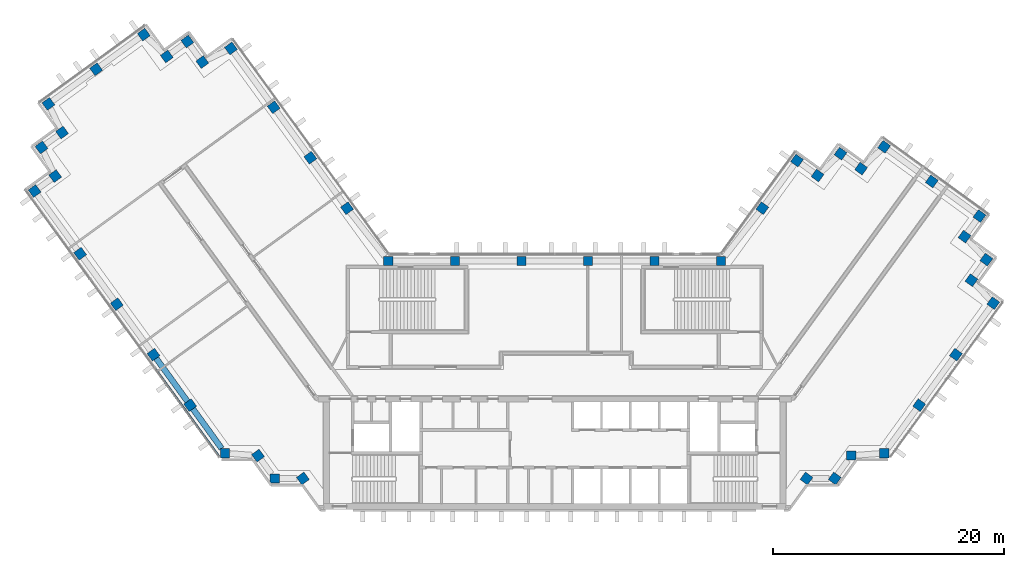
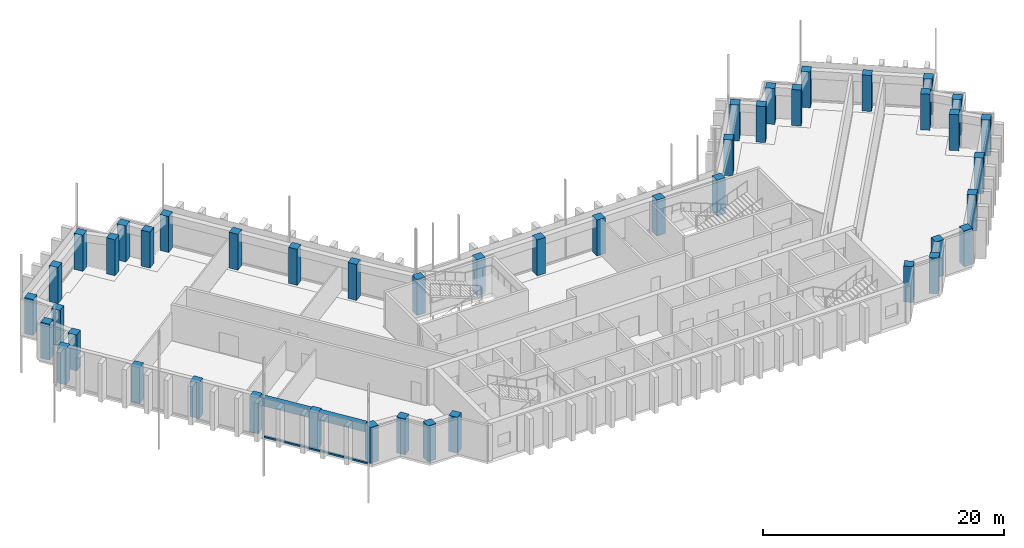
# One storey, part 1 of 12: 46 columns, 2 beams, 1 member, 1 element without a shape of its own.
"""IFC4 building model written with IfcOpenShell, lengths in metres."""

from ifc_helpers import new_model, si_unit, direction, frame, origin, origin_2d, place, context, subcontext, project, spatial, rectangle, extrude, material, material_profile, profile_set, type_object, element, aggregate, save


model = new_model("IFC4")

# Units and contexts
model_context = context("Model", 3, precision=1e-05, world=origin(), true_north=direction((0.0, 1.0)))
body_context = subcontext(model_context, "Body", "Model", "MODEL_VIEW")
ifc_project = project(units=[si_unit("LENGTHUNIT", "METRE"), si_unit("AREAUNIT", "SQUARE_METRE"), si_unit("VOLUMEUNIT", "CUBIC_METRE"), si_unit("PLANEANGLEUNIT", "RADIAN"), si_unit("MASSUNIT", "GRAM", prefix="KILO")], contexts=[model_context])

# Site, building, storey
site_placement = place(None, origin())
site = spatial("IfcSite", under=ifc_project, at=site_placement, CompositionType="ELEMENT")
building_placement = place(site_placement, origin())
building = spatial("IfcBuilding", under=site, at=building_placement, Name="Quipu Civic Tower", CompositionType="ELEMENT")
storey_placement = place(building_placement, frame((0.0, 0.0, 222.0)))
storey = spatial("IfcBuildingStorey", under=building, at=storey_placement, Name="L52", CompositionType="ELEMENT", Elevation=222.0)

# Columns
ifc_material_1 = material(Name="Concrete C50/60", Category="concrete")
ifc_material_profile_1 = material_profile(ifc_material_1, rectangle(XDim=0.800048828125, YDim=0.800048828125, at=origin_2d()), Name="RC800x800")
ifc_profile_set_1 = profile_set([ifc_material_profile_1], Name="Concrete C50/60")
column_type = type_object("IfcColumnType", Name="Perimeter column RC 800x800 C50/60", PredefinedType="COLUMN", material=ifc_profile_set_1)
for number, where, z_axis, x_axis, name in (
    (1, (-17.9736328125, 15.074951171875, 0.0), (0.0, 0.0, 1.0), (-0.587785252292, 0.809016994375, 0.0), "Column L52 W-IN-01"),
    (2, (-21.1474609375, 19.44384765625, 0.0), (0.0, 0.0, 1.0), (-0.587785252292, 0.809016994375, 0.0), "Column L52 W-IN-02"),
    (3, (-24.3212890625, 23.8125, 0.0), (0.0, 0.0, 1.0), (-0.587785252292, 0.809016994375, 0.0), "Column L52 W-IN-03"),
    (4, (-28.02001953125, 28.905029296875, 0.0), (0.0, 0.0, 1.0), (-0.809016994375, -0.587785252292, 0.0), "Column L52 T-Wi.0-W34"),
    (5, (-30.498779296875, 27.72265625, 0.0), (0.0, 0.0, 1.0), (-0.809016994375, -0.587785252292, 0.0), "Column L52 T-Wi.1-W34"),
    (6, (-31.794921875, 29.5, 0.0), (0.0, 0.0, 1.0), (-0.587785252292, 0.809016994375, 0.0), "Column L52 T-Wi.2-W34"),
    (7, (-33.573974609375, 28.20947265625, 0.0), (0.0, 0.0, 1.0), (-0.587785252292, 0.809016994375, 0.0), "Column L52 T-Wi.3-W34"),
    (8, (-35.56494140625, 30.10009765625, 0.0), (0.0, 0.0, 1.0), (-0.809016994375, -0.587785252292, 0.0), "Column L52 T-Wi.4-W34"),
    (9, (-39.690673828125, 27.10205078125, 0.0), (0.0, 0.0, 1.0), (-0.809016994375, -0.587785252292, 0.0), "Column L52 TIP-W-01-W34"),
    (10, (-43.81494140625, 24.10498046875, 0.0), (0.0, 0.0, 1.0), (-0.809016994375, -0.587785252292, 0.0), "Column L52 T-Wo.0-W34"),
    (11, (-42.635009765625, 21.626220703125, 0.0), (0.0, 0.0, 1.0), (-0.809016994375, -0.587785252292, 0.0), "Column L52 T-Wo.1-W34"),
    (12, (-44.4150390625, 20.3349609375, 0.0), (0.0, 0.0, 1.0), (0.587785252292, -0.809016994375, 0.0), "Column L52 T-Wo.2-W34"),
    (13, (-43.23095703125, 17.8544921875, 0.0), (0.0, 0.0, 1.0), (0.587785252292, -0.809016994375, 0.0), "Column L52 T-Wo.3-W34"),
    (14, (-45.010009765625, 16.56005859375, 0.0), (0.0, 0.0, 1.0), (0.587785252292, -0.809016994375, 0.0), "Column L52 T-Wo.4-W34"),
    (15, (-41.0703125, 11.137451171875, 0.0), (0.0, 0.0, 1.0), (0.587785252292, -0.809016994375, 0.0), "Column L52 W-OUT-04"),
    (16, (-37.896240234375, 6.768798828125, 0.0), (0.0, 0.0, 1.0), (0.587785252292, -0.809016994375, 0.0), "Column L52 W-OUT-03"),
    (17, (-34.722412109375, 2.39990234375, 0.0), (0.0, 0.0, 1.0), (0.587785252292, -0.809016994375, 0.0), "Column L52 W-OUT-02"),
    (18, (-31.54833984375, -1.96875, 0.0), (0.0, 0.0, 1.0), (0.587785252292, -0.809016994375, 0.0), "Column L52 W-OUT-01"),
    (19, (-28.52490234375, -6.1298828125, 0.0), (0.0, 0.0, 1.0), (1.0, 0.0, 0.0), "Column L52 J-Wo.0"),
    (20, (-25.67431640625, -6.3369140625, 0.0), (0.0, 0.0, 1.0), (0.587785252292, -0.809016994375, 0.0), "Column L52 J-Wo.1"),
    (21, (-24.235107421875, -8.31494140625, 0.0), (0.0, 0.0, 1.0), (1.0, 0.0, 0.0), "Column L52 J-Wo.2"),
    (22, (-21.791748046875, -8.31494140625, 0.0), (0.0, 0.0, 1.0), (0.587785252292, -0.809016994375, 0.0), "Column L52 J-Wo.3"),
    (23, (21.791748046875, -8.31494140625, 0.0), (0.0, 0.0, 1.0), (0.587785252292, 0.809016994375, 0.0), "Column L52 J-Eo.1"),
    (24, (24.235107421875, -8.31494140625, 0.0), (0.0, 0.0, 1.0), (0.587785252292, 0.809016994375, 0.0), "Column L52 J-Eo.2"),
    (25, (25.67431640625, -6.3369140625, 0.0), (0.0, 0.0, 1.0), (1.0, 0.0, 0.0), "Column L52 J-Eo.3"),
    (26, (28.52490234375, -6.1298828125, 0.0), (0.0, 0.0, 1.0), (1.0, 0.0, 0.0), "Column L52 J-Eo.4"),
    (27, (31.54833984375, -1.96875, 0.0), (0.0, 0.0, 1.0), (0.587785252292, 0.809016994375, 0.0), "Column L52 E-OUT-01"),
    (28, (34.722412109375, 2.39990234375, 0.0), (0.0, 0.0, 1.0), (0.587785252292, 0.809016994375, 0.0), "Column L52 E-OUT-02"),
    (29, (37.9599609375, 6.85498046875, 0.0), (0.0, 0.0, 1.0), (0.587785252292, 0.809016994375, 0.0), "Column L52 T-Eo.0-E22"),
    (30, (36.068115234375, 8.843994140625, 0.0), (0.0, 0.0, 1.0), (0.587785252292, 0.809016994375, 0.0), "Column L52 T-Eo.1-E22"),
    (31, (37.360107421875, 10.625, 0.0), (0.0, 0.0, 1.0), (0.587785252292, 0.809016994375, 0.0), "Column L52 T-Eo.2-E22"),
    (32, (35.470703125, 12.616455078125, 0.0), (0.0, 0.0, 1.0), (-0.809016994375, 0.587785252292, 0.0), "Column L52 T-Eo.3-E22"),
    (33, (36.764892578125, 14.39501953125, 0.0), (0.0, 0.0, 1.0), (-0.809016994375, 0.587785252292, 0.0), "Column L52 T-Eo.4-E22"),
    (34, (32.636962890625, 17.39306640625, 0.0), (0.0, 0.0, 1.0), (-0.809016994375, 0.587785252292, 0.0), "Column L52 TIP-E-01-E22"),
    (35, (28.510009765625, 20.389892578125, 0.0), (0.0, 0.0, 1.0), (-0.587785252292, -0.809016994375, 0.0), "Column L52 T-Ei.0-E22"),
    (36, (26.51904296875, 18.50048828125, 0.0), (0.0, 0.0, 1.0), (-0.809016994375, 0.587785252292, 0.0), "Column L52 T-Ei.1-E22"),
    (37, (24.739990234375, 19.794921875, 0.0), (0.0, 0.0, 1.0), (-0.587785252292, -0.809016994375, 0.0), "Column L52 T-Ei.2-E22"),
    (38, (22.749267578125, 17.904296875, 0.0), (0.0, 0.0, 1.0), (-0.587785252292, -0.809016994375, 0.0), "Column L52 T-Ei.3-E22"),
    (39, (20.969970703125, 19.195068359375, 0.0), (0.0, 0.0, 1.0), (-0.587785252292, -0.809016994375, 0.0), "Column L52 T-Ei.4-E22"),
    (40, (17.9736328125, 15.074951171875, 0.0), (0.0, 0.0, 1.0), (-0.587785252292, -0.809016994375, 0.0), "Column L52 E-IN-01"),
    (41, (14.395263671875, 10.5, 0.0), (0.0, 0.0, 1.0), (-1.0, 0.0, 0.0), "Column L52 J-Ei.0"),
    (42, (8.63720703125, 10.5, 0.0), (0.0, 0.0, 1.0), (-1.0, 0.0, 0.0), "Column L52 FRONT-01"),
    (43, (2.87890625, 10.5, 0.0), (0.0, 0.0, 1.0), (-1.0, 0.0, 0.0), "Column L52 FRONT-02"),
    (44, (-2.87890625, 10.5, 0.0), (0.0, 0.0, 1.0), (-1.0, 0.0, 0.0), "Column L52 FRONT-03"),
    (45, (-8.63720703125, 10.5, 0.0), (0.0, 0.0, 1.0), (-1.0, 0.0, 0.0), "Column L52 FRONT-04"),
    (46, (-14.395263671875, 10.5, 0.0), (0.0, 0.0, 1.0), (-1.0, 0.0, 0.0), "Column L52 J-Wi.0"),
):
    element("IfcColumn", number, at=place(storey_placement, frame(where, z_axis=z_axis, x_axis=x_axis)), inside=storey, type_object=column_type, Name=name, PredefinedType="COLUMN", context=body_context, shape_type="SweptSolid", body=[
        extrude(rectangle(XDim=0.800048828125, YDim=0.800048828125, at=origin_2d()), origin(), (0.0, 0.0, 1.0), 3.64990234375),
    ])

# Beams
ifc_material_2 = material(Name="Concrete C50/60", Category="concrete")
ifc_material_profile_2 = material_profile(ifc_material_2, rectangle(XDim=0.5, YDim=0.800048828125, at=origin_2d()), Name="RC500x800")
ifc_profile_set_2 = profile_set([ifc_material_profile_2], Name="Concrete C50/60")
beam_type = type_object("IfcBeamType", Name="Spandrel beam RC 500x800 C50/60", PredefinedType="SPANDREL", material=ifc_profile_set_2)
beam_1_placement = place(storey_placement, frame((-34.4873046875, 2.076416015625, 3.25), z_axis=(0.587796098864, -0.809009113768, 0.0), x_axis=(0.809009113768, 0.587796098864, 0.0)))
element("IfcBeam", 47, at=beam_1_placement, inside=storey, type_object=beam_type, Name="Spandrel beam L52 W-OUT-02 to W-OUT-01", PredefinedType="SPANDREL", context=body_context, shape_type="SweptSolid", body=[
    extrude(rectangle(XDim=0.5, YDim=0.800048828125, at=origin_2d()), origin(), (0.0, 0.0, 1.0), 4.60009765625),
])
beam_2_placement = place(storey_placement, frame((-31.313232421875, -2.292236328125, 3.25), z_axis=(0.58776850526, -0.809029161541, 0.0), x_axis=(0.809029161541, 0.58776850526, 0.0)))
element("IfcBeam", 48, at=beam_2_placement, inside=storey, type_object=beam_type, Name="Spandrel beam L52 W-OUT-01 to J-Wo.0", PredefinedType="SPANDREL", context=body_context, shape_type="SweptSolid", body=[
    extrude(rectangle(XDim=0.5, YDim=0.800048828125, at=origin_2d()), origin(), (0.0, 0.0, 1.0), 4.249267578125),
])

# Curtain wall, member
ifc_material_3 = material(Name="Insulated glass unit", Category="glass")
curtain_wall_type = type_object("IfcCurtainWallType", Name="Office curtain wall CW1", PredefinedType="NOTDEFINED", material=ifc_material_3)
curtain_wall_placement = place(storey_placement, origin())
curtain_wall = element("IfcCurtainWall", 49, at=curtain_wall_placement, inside=storey, type_object=curtain_wall_type, Name="Office curtain wall CW1 L51 run 11", PredefinedType="NOTDEFINED")
ifc_material_4 = material(Name="Anodised aluminium", Category="aluminium")
ifc_material_profile_3 = material_profile(ifc_material_4, rectangle(XDim=0.199951171875, YDim=0.159912109375, at=origin_2d()), Name="RECT 200x160")
ifc_profile_set_3 = profile_set([ifc_material_profile_3], Name="Anodised aluminium")
member_type = type_object("IfcMemberType", Name="Transom CW1", PredefinedType="USERDEFINED", material=ifc_profile_set_3)
member_placement = place(storey_placement, frame((-34.596923828125, 1.20654296875, 0.080078125), z_axis=(0.587783783239, -0.809018061703, 0.0), x_axis=(0.809018061703, 0.587783783239, 0.0)))
member = element("IfcMember", 50, at=member_placement, type_object=member_type, Name="CW1 transom 3.2", ObjectType="TRANSOM", PredefinedType="USERDEFINED", context=body_context, shape_type="SweptSolid", body=[
    extrude(rectangle(XDim=0.199951171875, YDim=0.159912109375, at=origin_2d()), origin(), (0.0, 0.0, 1.0), 9.431884765625),
])
aggregate(curtain_wall, [member])

save(model, "model.ifc")
